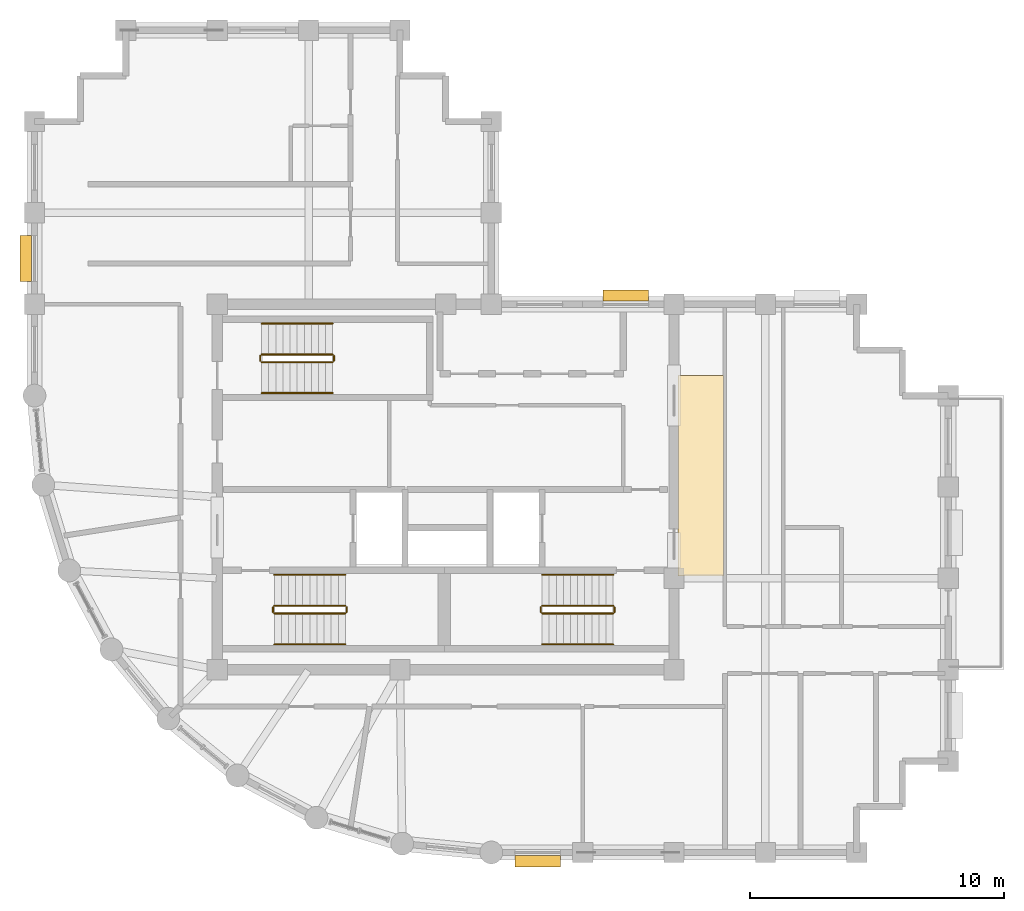
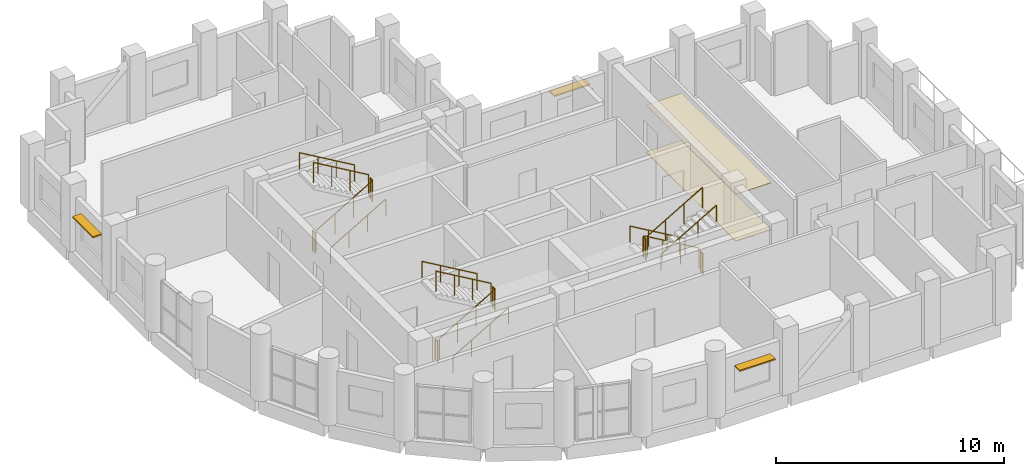
# One storey, part 11 of 12: 18 railings, 3 shading devices, 2 coverings.
"""IFC4 building model written with IfcOpenShell, lengths in metres."""

from ifc_helpers import new_model, si_unit, direction, frame, origin, origin_2d, place, context, subcontext, project, spatial, polyline, rectangle, circle, outline, extrude, material, layer, layer_set, type_object, element, save


model = new_model("IFC4")

# Units and contexts
model_context = context("Model", 3, precision=1e-05, world=origin(), true_north=direction((0.0, 1.0)))
body_context = subcontext(model_context, "Body", "Model", "MODEL_VIEW")
ifc_project = project(units=[si_unit("LENGTHUNIT", "METRE"), si_unit("AREAUNIT", "SQUARE_METRE"), si_unit("VOLUMEUNIT", "CUBIC_METRE"), si_unit("PLANEANGLEUNIT", "RADIAN"), si_unit("MASSUNIT", "GRAM", prefix="KILO")], contexts=[model_context])

# Site, building, storey
site_placement = place(None, origin())
site = spatial("IfcSite", under=ifc_project, at=site_placement, CompositionType="ELEMENT")
building_placement = place(site_placement, origin())
building = spatial("IfcBuilding", under=site, at=building_placement, Name="Solnavia Interchange Tower", CompositionType="ELEMENT")
storey_placement = place(building_placement, frame((0.0, 0.0, 228.199951171875)))
storey = spatial("IfcBuildingStorey", under=building, at=storey_placement, Name="L57", CompositionType="ELEMENT", Elevation=228.199951171875)

# Coverings
ifc_material_1 = material(Name="Perforated Mineral-Fibre & Gypsum Ceiling", Category="gypsum")
ifc_layer_1 = layer(ifc_material_1, 0.0400390625)
ifc_layer_set_1 = layer_set([ifc_layer_1], Name="Perforated Mineral-Fibre & Gypsum Ceiling")
covering_type_1 = type_object("IfcCoveringType", Name="Covering-Ceiling-Acoustic40", PredefinedType="CEILING", material=ifc_layer_set_1)
covering_1_placement = place(storey_placement, frame((0.0, 0.0, 2.5)))
element("IfcCovering", 1, at=covering_1_placement, inside=storey, type_object=covering_type_1, Name="CLG-L57-01 Circulation suspended acoustic ceiling", PredefinedType="CEILING", context=body_context, shape_type="SweptSolid", body=[
    extrude(outline(polyline([(32.550048828125, 14.5), (34.35009765625, 14.5), (34.35009765625, 22.39990234375), (32.550048828125, 22.39990234375), (32.550048828125, 14.5)])), origin(), (0.0, 0.0, 1.0), 0.0400390625),
])
ifc_material_2 = material(Name="Engineered European Oak Flooring", Category="wood")
ifc_layer_2 = layer(ifc_material_2, 0.02001953125)
ifc_layer_set_2 = layer_set([ifc_layer_2], Name="Engineered European Oak Flooring")
covering_type_2 = type_object("IfcCoveringType", Name="Covering-Flooring-Timber20", PredefinedType="FLOORING", material=ifc_layer_set_2)
covering_2_placement = place(storey_placement, origin())
element("IfcCovering", 2, at=covering_2_placement, inside=storey, type_object=covering_type_2, Name="FLR-L57-01 Circulation floor finish", PredefinedType="FLOORING", context=body_context, shape_type="SweptSolid", body=[
    extrude(outline(polyline([(32.550048828125, 14.5), (34.35009765625, 14.5), (34.35009765625, 22.39990234375), (32.550048828125, 22.39990234375), (32.550048828125, 14.5)])), origin(), (0.0, 0.0, 1.0), 0.02001953125),
])

# Railings
ifc_material_3 = material(Name="Painted Steel Balustrade", Category="steel")
railing_type_1 = type_object("IfcRailingType", Name="Railing-StairGuard-1100", PredefinedType="GUARDRAIL", material=ifc_material_3)
railing_1_placement = place(storey_placement, frame((16.64990234375, 13.02001953125, 0.16357421875)))
element("IfcRailing", 3, at=railing_1_placement, inside=storey, type_object=railing_type_1, Name="L57 ST-1 stair guard 1", PredefinedType="GUARDRAIL", context=body_context, shape_type="SweptSolid", body=[
    extrude(circle(Radius=0.02392578125, at=origin_2d()), frame((0.0, 0.0, 1.09619140625), z_axis=(0.863360870873, 0.0, 0.504586966384), x_axis=(0.0, 1.0, 0.0)), (0.0, 0.0, 1.0), 3.2431640625),
    extrude(circle(Radius=0.02099609375, at=origin_2d()), origin(), (0.0, 0.0, 1.0), 1.072021484375),
    extrude(circle(Radius=0.02099609375, at=origin_2d()), frame((0.933349609375, 0.0, 0.54541015625)), (0.0, 0.0, 1.0), 1.072021484375),
    extrude(circle(Radius=0.02099609375, at=origin_2d()), frame((1.86669921875, 0.0, 1.091064453125)), (0.0, 0.0, 1.0), 1.072021484375),
    extrude(circle(Radius=0.02099609375, at=origin_2d()), frame((2.800048828125, 0.0, 1.636474609375)), (0.0, 0.0, 1.0), 1.072021484375),
])
railing_2_placement = place(storey_placement, frame((19.5, 13.070068359375, 1.800048828125)))
element("IfcRailing", 4, at=railing_2_placement, inside=storey, type_object=railing_type_1, Name="L57 ST-1 stair guard 2", PredefinedType="GUARDRAIL", context=body_context, shape_type="SweptSolid", body=[
    extrude(circle(Radius=0.02392578125, at=origin_2d()), frame((0.0, 0.0, 1.09619140625), z_axis=(0.0, 1.0, 0.0), x_axis=(-1.0, 0.0, 0.0)), (0.0, 0.0, 1.0), 0.199951171875),
    extrude(circle(Radius=0.02099609375, at=origin_2d()), origin(), (0.0, 0.0, 1.0), 1.072021484375),
    extrude(circle(Radius=0.02099609375, at=origin_2d()), frame((0.0, 0.199951171875, 0.0)), (0.0, 0.0, 1.0), 1.072021484375),
])
railing_3_placement = place(storey_placement, frame((19.449951171875, 13.320068359375, 1.963623046875)))
element("IfcRailing", 5, at=railing_3_placement, inside=storey, type_object=railing_type_1, Name="L57 ST-1 stair guard 3", PredefinedType="GUARDRAIL", context=body_context, shape_type="SweptSolid", body=[
    extrude(circle(Radius=0.02392578125, at=origin_2d()), frame((0.0, 0.0, 1.09619140625), z_axis=(-0.863360870873, 0.0, 0.504586966384), x_axis=(0.0, -1.0, 0.0)), (0.0, 0.0, 1.0), 3.2431640625),
    extrude(circle(Radius=0.02099609375, at=origin_2d()), origin(), (0.0, 0.0, 1.0), 1.072021484375),
    extrude(circle(Radius=0.02099609375, at=origin_2d()), frame((-0.933349609375, 0.0, 0.54541015625)), (0.0, 0.0, 1.0), 1.072021484375),
    extrude(circle(Radius=0.02099609375, at=origin_2d()), frame((-1.86669921875, 0.0, 1.091064453125)), (0.0, 0.0, 1.0), 1.072021484375),
    extrude(circle(Radius=0.02099609375, at=origin_2d()), frame((-2.800048828125, 0.0, 1.636474609375)), (0.0, 0.0, 1.0), 1.072021484375),
])
railing_4_placement = place(storey_placement, frame((16.60009765625, 13.070068359375, 0.0)))
element("IfcRailing", 6, at=railing_4_placement, inside=storey, type_object=railing_type_1, Name="L57 ST-1 stair guard 4", PredefinedType="GUARDRAIL", context=body_context, shape_type="SweptSolid", body=[
    extrude(circle(Radius=0.02392578125, at=origin_2d()), frame((0.0, 0.0, 1.09619140625), z_axis=(0.0, 1.0, 0.0), x_axis=(-1.0, 0.0, 0.0)), (0.0, 0.0, 1.0), 0.199951171875),
    extrude(circle(Radius=0.02099609375, at=origin_2d()), origin(), (0.0, 0.0, 1.0), 1.072021484375),
    extrude(circle(Radius=0.02099609375, at=origin_2d()), frame((0.0, 0.199951171875, 0.0)), (0.0, 0.0, 1.0), 1.072021484375),
])
railing_5_placement = place(storey_placement, frame((30.0, 13.320068359375, 0.16357421875)))
element("IfcRailing", 7, at=railing_5_placement, inside=storey, type_object=railing_type_1, Name="L57 ST-2 stair guard 1", PredefinedType="GUARDRAIL", context=body_context, shape_type="SweptSolid", body=[
    extrude(circle(Radius=0.02392578125, at=origin_2d()), frame((0.0, 0.0, 1.09619140625), z_axis=(-0.863360870873, 0.0, 0.504586966384), x_axis=(0.0, -1.0, 0.0)), (0.0, 0.0, 1.0), 3.2431640625),
    extrude(circle(Radius=0.02099609375, at=origin_2d()), origin(), (0.0, 0.0, 1.0), 1.072021484375),
    extrude(circle(Radius=0.02099609375, at=origin_2d()), frame((-0.933349609375, 0.0, 0.54541015625)), (0.0, 0.0, 1.0), 1.072021484375),
    extrude(circle(Radius=0.02099609375, at=origin_2d()), frame((-1.86669921875, 0.0, 1.091064453125)), (0.0, 0.0, 1.0), 1.072021484375),
    extrude(circle(Radius=0.02099609375, at=origin_2d()), frame((-2.800048828125, 0.0, 1.636474609375)), (0.0, 0.0, 1.0), 1.072021484375),
])
railing_6_placement = place(storey_placement, frame((27.14990234375, 13.27001953125, 1.800048828125)))
element("IfcRailing", 8, at=railing_6_placement, inside=storey, type_object=railing_type_1, Name="L57 ST-2 stair guard 2", PredefinedType="GUARDRAIL", context=body_context, shape_type="SweptSolid", body=[
    extrude(circle(Radius=0.02392578125, at=origin_2d()), frame((0.0, 0.0, 1.09619140625), z_axis=(0.0, -1.0, 0.0), x_axis=(1.0, 0.0, 0.0)), (0.0, 0.0, 1.0), 0.199951171875),
    extrude(circle(Radius=0.02099609375, at=origin_2d()), origin(), (0.0, 0.0, 1.0), 1.072021484375),
    extrude(circle(Radius=0.02099609375, at=origin_2d()), frame((0.0, -0.199951171875, 0.0)), (0.0, 0.0, 1.0), 1.072021484375),
])
railing_7_placement = place(storey_placement, frame((27.199951171875, 13.02001953125, 1.963623046875)))
element("IfcRailing", 9, at=railing_7_placement, inside=storey, type_object=railing_type_1, Name="L57 ST-2 stair guard 3", PredefinedType="GUARDRAIL", context=body_context, shape_type="SweptSolid", body=[
    extrude(circle(Radius=0.02392578125, at=origin_2d()), frame((0.0, 0.0, 1.09619140625), z_axis=(0.863360870873, 0.0, 0.504586966384), x_axis=(0.0, 1.0, 0.0)), (0.0, 0.0, 1.0), 3.2431640625),
    extrude(circle(Radius=0.02099609375, at=origin_2d()), origin(), (0.0, 0.0, 1.0), 1.072021484375),
    extrude(circle(Radius=0.02099609375, at=origin_2d()), frame((0.933349609375, 0.0, 0.54541015625)), (0.0, 0.0, 1.0), 1.072021484375),
    extrude(circle(Radius=0.02099609375, at=origin_2d()), frame((1.86669921875, 0.0, 1.091064453125)), (0.0, 0.0, 1.0), 1.072021484375),
    extrude(circle(Radius=0.02099609375, at=origin_2d()), frame((2.800048828125, 0.0, 1.636474609375)), (0.0, 0.0, 1.0), 1.072021484375),
])
railing_8_placement = place(storey_placement, frame((30.050048828125, 13.27001953125, 0.0)))
element("IfcRailing", 10, at=railing_8_placement, inside=storey, type_object=railing_type_1, Name="L57 ST-2 stair guard 4", PredefinedType="GUARDRAIL", context=body_context, shape_type="SweptSolid", body=[
    extrude(circle(Radius=0.02392578125, at=origin_2d()), frame((0.0, 0.0, 1.09619140625), z_axis=(0.0, -1.0, 0.0), x_axis=(1.0, 0.0, 0.0)), (0.0, 0.0, 1.0), 0.199951171875),
    extrude(circle(Radius=0.02099609375, at=origin_2d()), origin(), (0.0, 0.0, 1.0), 1.072021484375),
    extrude(circle(Radius=0.02099609375, at=origin_2d()), frame((0.0, -0.199951171875, 0.0)), (0.0, 0.0, 1.0), 1.072021484375),
])
railing_9_placement = place(storey_placement, frame((16.14990234375, 22.919921875, 0.16357421875)))
element("IfcRailing", 11, at=railing_9_placement, inside=storey, type_object=railing_type_1, Name="L57 ST-3 stair guard 1", PredefinedType="GUARDRAIL", context=body_context, shape_type="SweptSolid", body=[
    extrude(circle(Radius=0.02392578125, at=origin_2d()), frame((0.0, 0.0, 1.09619140625), z_axis=(0.863360870873, 0.0, 0.504586966384), x_axis=(0.0, 1.0, 0.0)), (0.0, 0.0, 1.0), 3.2431640625),
    extrude(circle(Radius=0.02099609375, at=origin_2d()), origin(), (0.0, 0.0, 1.0), 1.072021484375),
    extrude(circle(Radius=0.02099609375, at=origin_2d()), frame((0.933349609375, 0.0, 0.54541015625)), (0.0, 0.0, 1.0), 1.072021484375),
    extrude(circle(Radius=0.02099609375, at=origin_2d()), frame((1.86669921875, 0.0, 1.091064453125)), (0.0, 0.0, 1.0), 1.072021484375),
    extrude(circle(Radius=0.02099609375, at=origin_2d()), frame((2.800048828125, 0.0, 1.636474609375)), (0.0, 0.0, 1.0), 1.072021484375),
])
railing_10_placement = place(storey_placement, frame((19.0, 22.969970703125, 1.800048828125)))
element("IfcRailing", 12, at=railing_10_placement, inside=storey, type_object=railing_type_1, Name="L57 ST-3 stair guard 2", PredefinedType="GUARDRAIL", context=body_context, shape_type="SweptSolid", body=[
    extrude(circle(Radius=0.02392578125, at=origin_2d()), frame((0.0, 0.0, 1.09619140625), z_axis=(0.0, 1.0, 0.0), x_axis=(-1.0, 0.0, 0.0)), (0.0, 0.0, 1.0), 0.199951171875),
    extrude(circle(Radius=0.02099609375, at=origin_2d()), origin(), (0.0, 0.0, 1.0), 1.072021484375),
    extrude(circle(Radius=0.02099609375, at=origin_2d()), frame((0.0, 0.199951171875, 0.0)), (0.0, 0.0, 1.0), 1.072021484375),
])
railing_11_placement = place(storey_placement, frame((18.949951171875, 23.219970703125, 1.963623046875)))
element("IfcRailing", 13, at=railing_11_placement, inside=storey, type_object=railing_type_1, Name="L57 ST-3 stair guard 3", PredefinedType="GUARDRAIL", context=body_context, shape_type="SweptSolid", body=[
    extrude(circle(Radius=0.02392578125, at=origin_2d()), frame((0.0, 0.0, 1.09619140625), z_axis=(-0.863360870873, 0.0, 0.504586966384), x_axis=(0.0, -1.0, 0.0)), (0.0, 0.0, 1.0), 3.2431640625),
    extrude(circle(Radius=0.02099609375, at=origin_2d()), origin(), (0.0, 0.0, 1.0), 1.072021484375),
    extrude(circle(Radius=0.02099609375, at=origin_2d()), frame((-0.933349609375, 0.0, 0.54541015625)), (0.0, 0.0, 1.0), 1.072021484375),
    extrude(circle(Radius=0.02099609375, at=origin_2d()), frame((-1.86669921875, 0.0, 1.091064453125)), (0.0, 0.0, 1.0), 1.072021484375),
    extrude(circle(Radius=0.02099609375, at=origin_2d()), frame((-2.800048828125, 0.0, 1.636474609375)), (0.0, 0.0, 1.0), 1.072021484375),
])
railing_12_placement = place(storey_placement, frame((16.10009765625, 22.969970703125, 0.0)))
element("IfcRailing", 14, at=railing_12_placement, inside=storey, type_object=railing_type_1, Name="L57 ST-3 stair guard 4", PredefinedType="GUARDRAIL", context=body_context, shape_type="SweptSolid", body=[
    extrude(circle(Radius=0.02392578125, at=origin_2d()), frame((0.0, 0.0, 1.09619140625), z_axis=(0.0, 1.0, 0.0), x_axis=(-1.0, 0.0, 0.0)), (0.0, 0.0, 1.0), 0.199951171875),
    extrude(circle(Radius=0.02099609375, at=origin_2d()), origin(), (0.0, 0.0, 1.0), 1.072021484375),
    extrude(circle(Radius=0.02099609375, at=origin_2d()), frame((0.0, 0.199951171875, 0.0)), (0.0, 0.0, 1.0), 1.072021484375),
])
ifc_material_4 = material(Name="Brushed Stainless Steel", Category="steel")
railing_type_2 = type_object("IfcRailingType", Name="Railing-StairHandrail-900", PredefinedType="HANDRAIL", material=ifc_material_4)
railing_13_placement = place(storey_placement, frame((16.64990234375, 11.800048828125, 0.16357421875)))
element("IfcRailing", 15, at=railing_13_placement, inside=storey, type_object=railing_type_2, Name="L57 ST-1 stair handrail 1", PredefinedType="HANDRAIL", context=body_context, shape_type="SweptSolid", body=[
    extrude(circle(Radius=0.02392578125, at=origin_2d()), frame((0.0, 0.0, 0.8759765625), z_axis=(0.863360870873, 0.0, 0.504586966384), x_axis=(0.0, 1.0, 0.0)), (0.0, 0.0, 1.0), 3.2431640625),
    extrude(circle(Radius=0.02099609375, at=origin_2d()), origin(), (0.0, 0.0, 1.0), 0.851806640625),
    extrude(circle(Radius=0.02099609375, at=origin_2d()), frame((0.933349609375, 0.0, 0.54541015625)), (0.0, 0.0, 1.0), 0.851806640625),
    extrude(circle(Radius=0.02099609375, at=origin_2d()), frame((1.86669921875, 0.0, 1.091064453125)), (0.0, 0.0, 1.0), 0.851806640625),
    extrude(circle(Radius=0.02099609375, at=origin_2d()), frame((2.800048828125, 0.0, 1.636474609375)), (0.0, 0.0, 1.0), 0.851806640625),
])
for number, where, name in (
    (16, (19.449951171875, 14.5400390625, 1.963623046875), "L57 ST-1 stair handrail 2"),
    (17, (30.0, 14.5400390625, 0.16357421875), "L57 ST-2 stair handrail 1"),
):
    element("IfcRailing", number, at=place(storey_placement, frame(where)), inside=storey, type_object=railing_type_2, Name=name, PredefinedType="HANDRAIL", context=body_context, shape_type="SweptSolid", body=[
        extrude(circle(Radius=0.02392578125, at=origin_2d()), frame((0.0, 0.0, 0.8759765625), z_axis=(-0.863360870873, 0.0, 0.504586966384), x_axis=(0.0, -1.0, 0.0)), (0.0, 0.0, 1.0), 3.2431640625),
        extrude(circle(Radius=0.02099609375, at=origin_2d()), origin(), (0.0, 0.0, 1.0), 0.851806640625),
        extrude(circle(Radius=0.02099609375, at=origin_2d()), frame((-0.933349609375, 0.0, 0.54541015625)), (0.0, 0.0, 1.0), 0.851806640625),
        extrude(circle(Radius=0.02099609375, at=origin_2d()), frame((-1.86669921875, 0.0, 1.091064453125)), (0.0, 0.0, 1.0), 0.851806640625),
        extrude(circle(Radius=0.02099609375, at=origin_2d()), frame((-2.800048828125, 0.0, 1.636474609375)), (0.0, 0.0, 1.0), 0.851806640625),
    ])
for number, where, name in (
    (18, (27.199951171875, 11.800048828125, 1.963623046875), "L57 ST-2 stair handrail 2"),
    (19, (16.14990234375, 21.699951171875, 0.16357421875), "L57 ST-3 stair handrail 1"),
):
    element("IfcRailing", number, at=place(storey_placement, frame(where)), inside=storey, type_object=railing_type_2, Name=name, PredefinedType="HANDRAIL", context=body_context, shape_type="SweptSolid", body=[
        extrude(circle(Radius=0.02392578125, at=origin_2d()), frame((0.0, 0.0, 0.8759765625), z_axis=(0.863360870873, 0.0, 0.504586966384), x_axis=(0.0, 1.0, 0.0)), (0.0, 0.0, 1.0), 3.2431640625),
        extrude(circle(Radius=0.02099609375, at=origin_2d()), origin(), (0.0, 0.0, 1.0), 0.851806640625),
        extrude(circle(Radius=0.02099609375, at=origin_2d()), frame((0.933349609375, 0.0, 0.54541015625)), (0.0, 0.0, 1.0), 0.851806640625),
        extrude(circle(Radius=0.02099609375, at=origin_2d()), frame((1.86669921875, 0.0, 1.091064453125)), (0.0, 0.0, 1.0), 0.851806640625),
        extrude(circle(Radius=0.02099609375, at=origin_2d()), frame((2.800048828125, 0.0, 1.636474609375)), (0.0, 0.0, 1.0), 0.851806640625),
    ])
railing_14_placement = place(storey_placement, frame((18.949951171875, 24.43994140625, 1.963623046875)))
element("IfcRailing", 20, at=railing_14_placement, inside=storey, type_object=railing_type_2, Name="L57 ST-3 stair handrail 2", PredefinedType="HANDRAIL", context=body_context, shape_type="SweptSolid", body=[
    extrude(circle(Radius=0.02392578125, at=origin_2d()), frame((0.0, 0.0, 0.8759765625), z_axis=(-0.863360870873, 0.0, 0.504586966384), x_axis=(0.0, -1.0, 0.0)), (0.0, 0.0, 1.0), 3.2431640625),
    extrude(circle(Radius=0.02099609375, at=origin_2d()), origin(), (0.0, 0.0, 1.0), 0.851806640625),
    extrude(circle(Radius=0.02099609375, at=origin_2d()), frame((-0.933349609375, 0.0, 0.54541015625)), (0.0, 0.0, 1.0), 0.851806640625),
    extrude(circle(Radius=0.02099609375, at=origin_2d()), frame((-1.86669921875, 0.0, 1.091064453125)), (0.0, 0.0, 1.0), 0.851806640625),
    extrude(circle(Radius=0.02099609375, at=origin_2d()), frame((-2.800048828125, 0.0, 1.636474609375)), (0.0, 0.0, 1.0), 0.851806640625),
])

# Shading devices
ifc_material_5 = material(Name="Anodised Aluminium Sunshade", Category="aluminium")
ifc_layer_3 = layer(ifc_material_5, 0.070068359375)
ifc_layer_set_3 = layer_set([ifc_layer_3], Name="Anodised Aluminium Sunshade")
shading_device_type = type_object("IfcShadingDeviceType", Name="Sunshade-Band-450", PredefinedType="JALOUSIE", material=ifc_layer_set_3)
for number, where, z_axis, x_axis, name in (
    (21, (27.02490234375, 3.2548828125, 2.22509765625), (0.0, 0.0, 1.0), (-1.0, 0.0, 0.0), "SHD-L57-01 Horizontal sunshade band"),
    (22, (30.4951171875, 25.544921875, 2.22509765625), (0.0, 0.0, 1.0), (1.0, 0.0, 0.0), "SHD-L57-19 Horizontal sunshade band"),
    (23, (6.85498046875, 27.0, 2.22509765625), (0.0, 0.0, 1.0), (0.0, 1.0, 0.0), "SHD-L57-35 Horizontal sunshade band"),
):
    element("IfcShadingDevice", number, at=place(storey_placement, frame(where, z_axis=z_axis, x_axis=x_axis)), inside=storey, type_object=shading_device_type, Name=name, PredefinedType="JALOUSIE", context=body_context, shape_type="SweptSolid", body=[
        extrude(rectangle(XDim=1.800048828125, YDim=0.449951171875, at=origin_2d()), origin(), (0.0, 0.0, 1.0), 0.070068359375),
    ])

save(model, "model.ifc")
